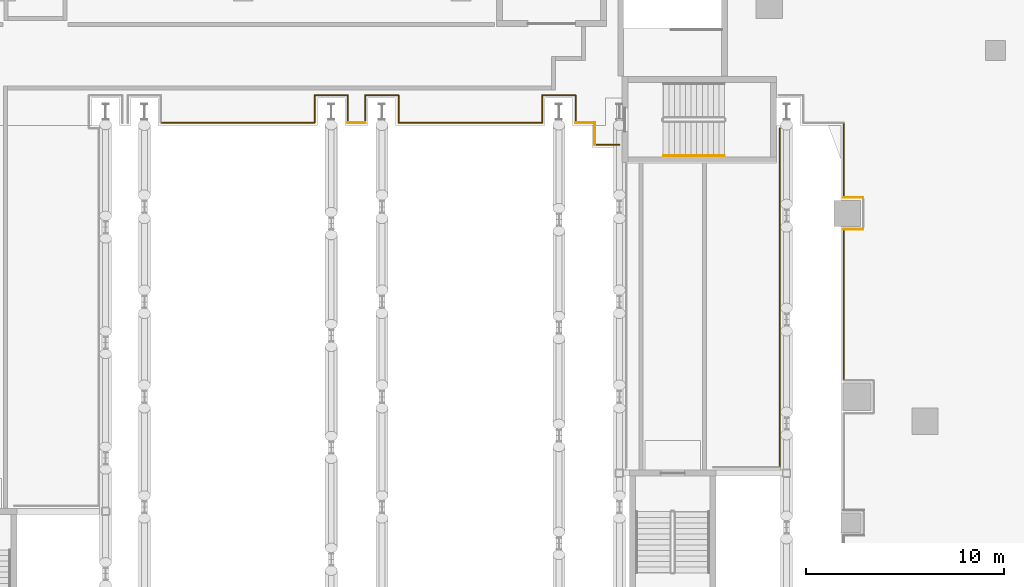
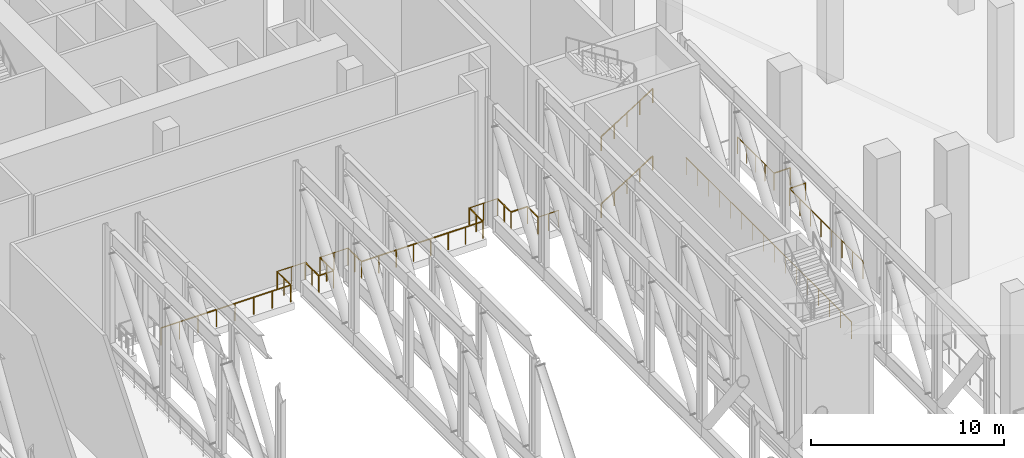
# One storey, part 28 of 33: 22 railings.
"""IFC4 building model written with IfcOpenShell, lengths in metres."""

from ifc_helpers import new_model, si_unit, direction, frame, origin, origin_2d, place, context, subcontext, project, spatial, circle, extrude, material, type_object, element, save


model = new_model("IFC4")

# Units and contexts
model_context = context("Model", 3, precision=1e-05, world=origin(), true_north=direction((0.0, 1.0)))
body_context = subcontext(model_context, "Body", "Model", "MODEL_VIEW")
ifc_project = project(units=[si_unit("LENGTHUNIT", "METRE"), si_unit("AREAUNIT", "SQUARE_METRE"), si_unit("VOLUMEUNIT", "CUBIC_METRE"), si_unit("PLANEANGLEUNIT", "RADIAN"), si_unit("MASSUNIT", "GRAM", prefix="KILO")], contexts=[model_context])

# Site, building, storey
site_placement = place(None, origin())
site = spatial("IfcSite", under=ifc_project, at=site_placement, CompositionType="ELEMENT")
building_placement = place(site_placement, origin())
building = spatial("IfcBuilding", under=site, at=building_placement, Name="Wharfspan Tower", CompositionType="ELEMENT")
storey_placement = place(building_placement, frame((0.0, 0.0, 33.0)))
storey = spatial("IfcBuildingStorey", under=building, at=storey_placement, Name="L05", CompositionType="ELEMENT", Elevation=33.0)

# Railings
ifc_material = material(Name="Steel S355J2", Category="steel")
railing_type_1 = type_object("IfcRailingType", Name="GUARD 1100 STEEL AND GLASS", PredefinedType="GUARDRAIL", material=ifc_material)
railing_1_placement = place(storey_placement, frame((83.340088, 12.340088, 0.0)))
element("IfcRailing", 1, at=railing_1_placement, inside=storey, type_object=railing_type_1, Name="Guard on the deck edge", PredefinedType="GUARDRAIL", context=body_context, shape_type="SweptSolid", body=[
    extrude(circle(Radius=0.024902, at=origin_2d()), frame((0.0, 0.0, 1.075195), z_axis=(0.0, 1.0, 0.0), x_axis=(-1.0, 0.0, 0.0)), (0.0, 0.0, 1.0), 7.628174),
    extrude(circle(Radius=0.02002, at=origin_2d()), origin(), (0.0, 0.0, 1.0), 1.050049),
    extrude(circle(Radius=0.02002, at=origin_2d()), frame((0.0, 1.089844, 0.0)), (0.0, 0.0, 1.0), 1.050049),
    extrude(circle(Radius=0.02002, at=origin_2d()), frame((0.0, 2.179443, 0.0)), (0.0, 0.0, 1.0), 1.050049),
    extrude(circle(Radius=0.02002, at=origin_2d()), frame((0.0, 3.269287, 0.0)), (0.0, 0.0, 1.0), 1.050049),
    extrude(circle(Radius=0.02002, at=origin_2d()), frame((0.0, 4.358887, 0.0)), (0.0, 0.0, 1.0), 1.050049),
    extrude(circle(Radius=0.02002, at=origin_2d()), frame((0.0, 5.44873, 0.0)), (0.0, 0.0, 1.0), 1.050049),
    extrude(circle(Radius=0.02002, at=origin_2d()), frame((0.0, 6.53833, 0.0)), (0.0, 0.0, 1.0), 1.050049),
    extrude(circle(Radius=0.02002, at=origin_2d()), frame((0.0, 7.628174, 0.0)), (0.0, 0.0, 1.0), 1.050049),
])
railing_2_placement = place(storey_placement, frame((83.340088, 19.968262, 0.0)))
element("IfcRailing", 2, at=railing_2_placement, inside=storey, type_object=railing_type_1, Name="Guard on the deck edge", PredefinedType="GUARDRAIL", context=body_context, shape_type="SweptSolid", body=[
    extrude(circle(Radius=0.024902, at=origin_2d()), frame((0.0, 0.0, 1.075195), z_axis=(1.0, 0.0, 0.0), x_axis=(0.0, 1.0, 0.0)), (0.0, 0.0, 1.0), 0.966797),
    extrude(circle(Radius=0.02002, at=origin_2d()), origin(), (0.0, 0.0, 1.0), 1.050049),
    extrude(circle(Radius=0.02002, at=origin_2d()), frame((0.966797, 0.0, 0.0)), (0.0, 0.0, 1.0), 1.050049),
])
railing_3_placement = place(storey_placement, frame((84.306885, 21.568359, 0.0)))
element("IfcRailing", 3, at=railing_3_placement, inside=storey, type_object=railing_type_1, Name="Guard on the deck edge", PredefinedType="GUARDRAIL", context=body_context, shape_type="SweptSolid", body=[
    extrude(circle(Radius=0.024902, at=origin_2d()), frame((0.0, 0.0, 1.075195), z_axis=(-1.0, 0.0, 0.0), x_axis=(0.0, -1.0, 0.0)), (0.0, 0.0, 1.0), 0.966797),
    extrude(circle(Radius=0.02002, at=origin_2d()), origin(), (0.0, 0.0, 1.0), 1.050049),
    extrude(circle(Radius=0.02002, at=origin_2d()), frame((-0.966797, 0.0, 0.0)), (0.0, 0.0, 1.0), 1.050049),
])
railing_4_placement = place(storey_placement, frame((83.340088, 21.568359, 0.0)))
element("IfcRailing", 4, at=railing_4_placement, inside=storey, type_object=railing_type_1, Name="Guard on the deck edge", PredefinedType="GUARDRAIL", context=body_context, shape_type="SweptSolid", body=[
    extrude(circle(Radius=0.024902, at=origin_2d()), frame((0.0, 0.0, 1.075195), z_axis=(0.0, 1.0, 0.0), x_axis=(-1.0, 0.0, 0.0)), (0.0, 0.0, 1.0), 3.771729),
    extrude(circle(Radius=0.02002, at=origin_2d()), origin(), (0.0, 0.0, 1.0), 1.050049),
    extrude(circle(Radius=0.02002, at=origin_2d()), frame((0.0, 0.942871, 0.0)), (0.0, 0.0, 1.0), 1.050049),
    extrude(circle(Radius=0.02002, at=origin_2d()), frame((0.0, 1.885742, 0.0)), (0.0, 0.0, 1.0), 1.050049),
    extrude(circle(Radius=0.02002, at=origin_2d()), frame((0.0, 2.828857, 0.0)), (0.0, 0.0, 1.0), 1.050049),
    extrude(circle(Radius=0.02002, at=origin_2d()), frame((0.0, 3.771729, 0.0)), (0.0, 0.0, 1.0), 1.050049),
])
railing_5_placement = place(storey_placement, frame((80.102051, 25.060059, 0.0)))
element("IfcRailing", 5, at=railing_5_placement, inside=storey, type_object=railing_type_1, Name="Guard on the deck edge", PredefinedType="GUARDRAIL", context=body_context, shape_type="SweptSolid", body=[
    extrude(circle(Radius=0.024902, at=origin_2d()), frame((0.0, 0.0, 1.075195), z_axis=(0.0, -1.0, 0.0), x_axis=(1.0, 0.0, 0.0)), (0.0, 0.0, 1.0), 17.128174),
    extrude(circle(Radius=0.02002, at=origin_2d()), origin(), (0.0, 0.0, 1.0), 1.050049),
    extrude(circle(Radius=0.02002, at=origin_2d()), frame((0.0, -1.141846, 0.0)), (0.0, 0.0, 1.0), 1.050049),
    extrude(circle(Radius=0.02002, at=origin_2d()), frame((0.0, -2.283691, 0.0)), (0.0, 0.0, 1.0), 1.050049),
    extrude(circle(Radius=0.02002, at=origin_2d()), frame((0.0, -3.425537, 0.0)), (0.0, 0.0, 1.0), 1.050049),
    extrude(circle(Radius=0.02002, at=origin_2d()), frame((0.0, -4.567627, 0.0)), (0.0, 0.0, 1.0), 1.050049),
    extrude(circle(Radius=0.02002, at=origin_2d()), frame((0.0, -5.709473, 0.0)), (0.0, 0.0, 1.0), 1.050049),
    extrude(circle(Radius=0.02002, at=origin_2d()), frame((0.0, -6.851318, 0.0)), (0.0, 0.0, 1.0), 1.050049),
    extrude(circle(Radius=0.02002, at=origin_2d()), frame((0.0, -7.993164, 0.0)), (0.0, 0.0, 1.0), 1.050049),
    extrude(circle(Radius=0.02002, at=origin_2d()), frame((0.0, -9.13501, 0.0)), (0.0, 0.0, 1.0), 1.050049),
    extrude(circle(Radius=0.02002, at=origin_2d()), frame((0.0, -10.276855, 0.0)), (0.0, 0.0, 1.0), 1.050049),
    extrude(circle(Radius=0.02002, at=origin_2d()), frame((0.0, -11.418701, 0.0)), (0.0, 0.0, 1.0), 1.050049),
    extrude(circle(Radius=0.02002, at=origin_2d()), frame((0.0, -12.560547, 0.0)), (0.0, 0.0, 1.0), 1.050049),
    extrude(circle(Radius=0.02002, at=origin_2d()), frame((0.0, -13.702637, 0.0)), (0.0, 0.0, 1.0), 1.050049),
    extrude(circle(Radius=0.02002, at=origin_2d()), frame((0.0, -14.844482, 0.0)), (0.0, 0.0, 1.0), 1.050049),
    extrude(circle(Radius=0.02002, at=origin_2d()), frame((0.0, -15.986328, 0.0)), (0.0, 0.0, 1.0), 1.050049),
    extrude(circle(Radius=0.02002, at=origin_2d()), frame((0.0, -17.128174, 0.0)), (0.0, 0.0, 1.0), 1.050049),
])
railing_6_placement = place(storey_placement, frame((72.004883, 24.23999, 0.0)))
element("IfcRailing", 6, at=railing_6_placement, inside=storey, type_object=railing_type_1, Name="Guard on the deck edge", PredefinedType="GUARDRAIL", context=body_context, shape_type="SweptSolid", body=[
    extrude(circle(Radius=0.024902, at=origin_2d()), frame((0.0, 0.0, 1.075195), z_axis=(-1.0, 0.0, 0.0), x_axis=(0.0, -1.0, 0.0)), (0.0, 0.0, 1.0), 1.23999),
    extrude(circle(Radius=0.02002, at=origin_2d()), origin(), (0.0, 0.0, 1.0), 1.050049),
    extrude(circle(Radius=0.02002, at=origin_2d()), frame((-0.620117, 0.0, 0.0)), (0.0, 0.0, 1.0), 1.050049),
    extrude(circle(Radius=0.02002, at=origin_2d()), frame((-1.23999, 0.0, 0.0)), (0.0, 0.0, 1.0), 1.050049),
])
railing_7_placement = place(storey_placement, frame((70.764893, 24.23999, 0.0)))
element("IfcRailing", 7, at=railing_7_placement, inside=storey, type_object=railing_type_1, Name="Guard on the deck edge", PredefinedType="GUARDRAIL", context=body_context, shape_type="SweptSolid", body=[
    extrude(circle(Radius=0.024902, at=origin_2d()), frame((0.0, 0.0, 1.075195), z_axis=(0.0, 1.0, 0.0), x_axis=(-1.0, 0.0, 0.0)), (0.0, 0.0, 1.0), 1.100098),
    extrude(circle(Radius=0.02002, at=origin_2d()), origin(), (0.0, 0.0, 1.0), 1.050049),
    extrude(circle(Radius=0.02002, at=origin_2d()), frame((0.0, 1.100098, 0.0)), (0.0, 0.0, 1.0), 1.050049),
])
railing_8_placement = place(storey_placement, frame((70.764893, 25.340088, 0.0)))
element("IfcRailing", 8, at=railing_8_placement, inside=storey, type_object=railing_type_1, Name="Guard on the deck edge", PredefinedType="GUARDRAIL", context=body_context, shape_type="SweptSolid", body=[
    extrude(circle(Radius=0.024902, at=origin_2d()), frame((0.0, 0.0, 1.075195), z_axis=(-1.0, 0.0, 0.0), x_axis=(0.0, -1.0, 0.0)), (0.0, 0.0, 1.0), 0.98291),
    extrude(circle(Radius=0.02002, at=origin_2d()), origin(), (0.0, 0.0, 1.0), 1.050049),
    extrude(circle(Radius=0.02002, at=origin_2d()), frame((-0.98291, 0.0, 0.0)), (0.0, 0.0, 1.0), 1.050049),
])
railing_9_placement = place(storey_placement, frame((69.781982, 25.340088, 0.0)))
element("IfcRailing", 9, at=railing_9_placement, inside=storey, type_object=railing_type_1, Name="Guard on the deck edge", PredefinedType="GUARDRAIL", context=body_context, shape_type="SweptSolid", body=[
    extrude(circle(Radius=0.024902, at=origin_2d()), frame((0.0, 0.0, 1.075195), z_axis=(0.0, 1.0, 0.0), x_axis=(-1.0, 0.0, 0.0)), (0.0, 0.0, 1.0), 1.399902),
    extrude(circle(Radius=0.02002, at=origin_2d()), origin(), (0.0, 0.0, 1.0), 1.050049),
    extrude(circle(Radius=0.02002, at=origin_2d()), frame((0.0, 0.699951, 0.0)), (0.0, 0.0, 1.0), 1.050049),
    extrude(circle(Radius=0.02002, at=origin_2d()), frame((0.0, 1.399902, 0.0)), (0.0, 0.0, 1.0), 1.050049),
])
railing_10_placement = place(storey_placement, frame((69.781982, 26.73999, 0.0)))
element("IfcRailing", 10, at=railing_10_placement, inside=storey, type_object=railing_type_1, Name="Guard on the deck edge", PredefinedType="GUARDRAIL", context=body_context, shape_type="SweptSolid", body=[
    extrude(circle(Radius=0.024902, at=origin_2d()), frame((0.0, 0.0, 1.075195), z_axis=(-1.0, 0.0, 0.0), x_axis=(0.0, -1.0, 0.0)), (0.0, 0.0, 1.0), 1.679932),
    extrude(circle(Radius=0.02002, at=origin_2d()), origin(), (0.0, 0.0, 1.0), 1.050049),
    extrude(circle(Radius=0.02002, at=origin_2d()), frame((-0.839844, 0.0, 0.0)), (0.0, 0.0, 1.0), 1.050049),
    extrude(circle(Radius=0.02002, at=origin_2d()), frame((-1.679932, 0.0, 0.0)), (0.0, 0.0, 1.0), 1.050049),
])
railing_11_placement = place(storey_placement, frame((68.102051, 26.73999, 0.0)))
element("IfcRailing", 11, at=railing_11_placement, inside=storey, type_object=railing_type_1, Name="Guard on the deck edge", PredefinedType="GUARDRAIL", context=body_context, shape_type="SweptSolid", body=[
    extrude(circle(Radius=0.024902, at=origin_2d()), frame((0.0, 0.0, 1.075195), z_axis=(0.0, -1.0, 0.0), x_axis=(1.0, 0.0, 0.0)), (0.0, 0.0, 1.0), 1.399902),
    extrude(circle(Radius=0.02002, at=origin_2d()), origin(), (0.0, 0.0, 1.0), 1.050049),
    extrude(circle(Radius=0.02002, at=origin_2d()), frame((0.0, -0.699951, 0.0)), (0.0, 0.0, 1.0), 1.050049),
    extrude(circle(Radius=0.02002, at=origin_2d()), frame((0.0, -1.399902, 0.0)), (0.0, 0.0, 1.0), 1.050049),
])
railing_12_placement = place(storey_placement, frame((68.102051, 25.340088, 0.0)))
element("IfcRailing", 12, at=railing_12_placement, inside=storey, type_object=railing_type_1, Name="Guard on the deck edge", PredefinedType="GUARDRAIL", context=body_context, shape_type="SweptSolid", body=[
    extrude(circle(Radius=0.024902, at=origin_2d()), frame((0.0, 0.0, 1.075195), z_axis=(-1.0, 0.0, 0.0), x_axis=(0.0, -1.0, 0.0)), (0.0, 0.0, 1.0), 7.261963),
    extrude(circle(Radius=0.02002, at=origin_2d()), origin(), (0.0, 0.0, 1.0), 1.050049),
    extrude(circle(Radius=0.02002, at=origin_2d()), frame((-1.037354, 0.0, 0.0)), (0.0, 0.0, 1.0), 1.050049),
    extrude(circle(Radius=0.02002, at=origin_2d()), frame((-2.074951, 0.0, 0.0)), (0.0, 0.0, 1.0), 1.050049),
    extrude(circle(Radius=0.02002, at=origin_2d()), frame((-3.112305, 0.0, 0.0)), (0.0, 0.0, 1.0), 1.050049),
    extrude(circle(Radius=0.02002, at=origin_2d()), frame((-4.149658, 0.0, 0.0)), (0.0, 0.0, 1.0), 1.050049),
    extrude(circle(Radius=0.02002, at=origin_2d()), frame((-5.187012, 0.0, 0.0)), (0.0, 0.0, 1.0), 1.050049),
    extrude(circle(Radius=0.02002, at=origin_2d()), frame((-6.224609, 0.0, 0.0)), (0.0, 0.0, 1.0), 1.050049),
    extrude(circle(Radius=0.02002, at=origin_2d()), frame((-7.261963, 0.0, 0.0)), (0.0, 0.0, 1.0), 1.050049),
])
railing_13_placement = place(storey_placement, frame((60.840088, 25.340088, 0.0)))
element("IfcRailing", 13, at=railing_13_placement, inside=storey, type_object=railing_type_1, Name="Guard on the deck edge", PredefinedType="GUARDRAIL", context=body_context, shape_type="SweptSolid", body=[
    extrude(circle(Radius=0.024902, at=origin_2d()), frame((0.0, 0.0, 1.075195), z_axis=(0.0, 1.0, 0.0), x_axis=(-1.0, 0.0, 0.0)), (0.0, 0.0, 1.0), 1.399902),
    extrude(circle(Radius=0.02002, at=origin_2d()), origin(), (0.0, 0.0, 1.0), 1.050049),
    extrude(circle(Radius=0.02002, at=origin_2d()), frame((0.0, 0.699951, 0.0)), (0.0, 0.0, 1.0), 1.050049),
    extrude(circle(Radius=0.02002, at=origin_2d()), frame((0.0, 1.399902, 0.0)), (0.0, 0.0, 1.0), 1.050049),
])
railing_14_placement = place(storey_placement, frame((60.840088, 26.73999, 0.0)))
element("IfcRailing", 14, at=railing_14_placement, inside=storey, type_object=railing_type_1, Name="Guard on the deck edge", PredefinedType="GUARDRAIL", context=body_context, shape_type="SweptSolid", body=[
    extrude(circle(Radius=0.024902, at=origin_2d()), frame((0.0, 0.0, 1.075195), z_axis=(-1.0, 0.0, 0.0), x_axis=(0.0, -1.0, 0.0)), (0.0, 0.0, 1.0), 1.680176),
    extrude(circle(Radius=0.02002, at=origin_2d()), origin(), (0.0, 0.0, 1.0), 1.050049),
    extrude(circle(Radius=0.02002, at=origin_2d()), frame((-0.840088, 0.0, 0.0)), (0.0, 0.0, 1.0), 1.050049),
    extrude(circle(Radius=0.02002, at=origin_2d()), frame((-1.680176, 0.0, 0.0)), (0.0, 0.0, 1.0), 1.050049),
])
railing_15_placement = place(storey_placement, frame((59.159912, 26.73999, 0.0)))
element("IfcRailing", 15, at=railing_15_placement, inside=storey, type_object=railing_type_1, Name="Guard on the deck edge", PredefinedType="GUARDRAIL", context=body_context, shape_type="SweptSolid", body=[
    extrude(circle(Radius=0.024902, at=origin_2d()), frame((0.0, 0.0, 1.075195), z_axis=(0.0, -1.0, 0.0), x_axis=(1.0, 0.0, 0.0)), (0.0, 0.0, 1.0), 1.399902),
    extrude(circle(Radius=0.02002, at=origin_2d()), origin(), (0.0, 0.0, 1.0), 1.050049),
    extrude(circle(Radius=0.02002, at=origin_2d()), frame((0.0, -0.699951, 0.0)), (0.0, 0.0, 1.0), 1.050049),
    extrude(circle(Radius=0.02002, at=origin_2d()), frame((0.0, -1.399902, 0.0)), (0.0, 0.0, 1.0), 1.050049),
])
railing_16_placement = place(storey_placement, frame((59.159912, 25.340088, 0.0)))
element("IfcRailing", 16, at=railing_16_placement, inside=storey, type_object=railing_type_1, Name="Guard on the deck edge", PredefinedType="GUARDRAIL", context=body_context, shape_type="SweptSolid", body=[
    extrude(circle(Radius=0.024902, at=origin_2d()), frame((0.0, 0.0, 1.075195), z_axis=(-1.0, 0.0, 0.0), x_axis=(0.0, -1.0, 0.0)), (0.0, 0.0, 1.0), 0.87793),
    extrude(circle(Radius=0.02002, at=origin_2d()), origin(), (0.0, 0.0, 1.0), 1.050049),
    extrude(circle(Radius=0.02002, at=origin_2d()), frame((-0.87793, 0.0, 0.0)), (0.0, 0.0, 1.0), 1.050049),
])
railing_17_placement = place(storey_placement, frame((58.281982, 25.340088, 0.0)))
element("IfcRailing", 17, at=railing_17_placement, inside=storey, type_object=railing_type_1, Name="Guard on the deck edge", PredefinedType="GUARDRAIL", context=body_context, shape_type="SweptSolid", body=[
    extrude(circle(Radius=0.024902, at=origin_2d()), frame((0.0, 0.0, 1.075195), z_axis=(0.0, 1.0, 0.0), x_axis=(-1.0, 0.0, 0.0)), (0.0, 0.0, 1.0), 1.399902),
    extrude(circle(Radius=0.02002, at=origin_2d()), origin(), (0.0, 0.0, 1.0), 1.050049),
    extrude(circle(Radius=0.02002, at=origin_2d()), frame((0.0, 0.699951, 0.0)), (0.0, 0.0, 1.0), 1.050049),
    extrude(circle(Radius=0.02002, at=origin_2d()), frame((0.0, 1.399902, 0.0)), (0.0, 0.0, 1.0), 1.050049),
])
railing_18_placement = place(storey_placement, frame((58.281982, 26.73999, 0.0)))
element("IfcRailing", 18, at=railing_18_placement, inside=storey, type_object=railing_type_1, Name="Guard on the deck edge", PredefinedType="GUARDRAIL", context=body_context, shape_type="SweptSolid", body=[
    extrude(circle(Radius=0.024902, at=origin_2d()), frame((0.0, 0.0, 1.075195), z_axis=(-1.0, 0.0, 0.0), x_axis=(0.0, -1.0, 0.0)), (0.0, 0.0, 1.0), 1.679932),
    extrude(circle(Radius=0.02002, at=origin_2d()), origin(), (0.0, 0.0, 1.0), 1.050049),
    extrude(circle(Radius=0.02002, at=origin_2d()), frame((-0.839844, 0.0, 0.0)), (0.0, 0.0, 1.0), 1.050049),
    extrude(circle(Radius=0.02002, at=origin_2d()), frame((-1.679932, 0.0, 0.0)), (0.0, 0.0, 1.0), 1.050049),
])
railing_19_placement = place(storey_placement, frame((56.602051, 26.73999, 0.0)))
element("IfcRailing", 19, at=railing_19_placement, inside=storey, type_object=railing_type_1, Name="Guard on the deck edge", PredefinedType="GUARDRAIL", context=body_context, shape_type="SweptSolid", body=[
    extrude(circle(Radius=0.024902, at=origin_2d()), frame((0.0, 0.0, 1.075195), z_axis=(0.0, -1.0, 0.0), x_axis=(1.0, 0.0, 0.0)), (0.0, 0.0, 1.0), 1.399902),
    extrude(circle(Radius=0.02002, at=origin_2d()), origin(), (0.0, 0.0, 1.0), 1.050049),
    extrude(circle(Radius=0.02002, at=origin_2d()), frame((0.0, -0.699951, 0.0)), (0.0, 0.0, 1.0), 1.050049),
    extrude(circle(Radius=0.02002, at=origin_2d()), frame((0.0, -1.399902, 0.0)), (0.0, 0.0, 1.0), 1.050049),
])
railing_20_placement = place(storey_placement, frame((56.602051, 25.340088, 0.0)))
element("IfcRailing", 20, at=railing_20_placement, inside=storey, type_object=railing_type_1, Name="Guard on the deck edge", PredefinedType="GUARDRAIL", context=body_context, shape_type="SweptSolid", body=[
    extrude(circle(Radius=0.024902, at=origin_2d()), frame((0.0, 0.0, 1.075195), z_axis=(-1.0, 0.0, 0.0), x_axis=(0.0, -1.0, 0.0)), (0.0, 0.0, 1.0), 7.761963),
    extrude(circle(Radius=0.02002, at=origin_2d()), origin(), (0.0, 0.0, 1.0), 1.050049),
    extrude(circle(Radius=0.02002, at=origin_2d()), frame((-1.108887, 0.0, 0.0)), (0.0, 0.0, 1.0), 1.050049),
    extrude(circle(Radius=0.02002, at=origin_2d()), frame((-2.217773, 0.0, 0.0)), (0.0, 0.0, 1.0), 1.050049),
    extrude(circle(Radius=0.02002, at=origin_2d()), frame((-3.32666, 0.0, 0.0)), (0.0, 0.0, 1.0), 1.050049),
    extrude(circle(Radius=0.02002, at=origin_2d()), frame((-4.435303, 0.0, 0.0)), (0.0, 0.0, 1.0), 1.050049),
    extrude(circle(Radius=0.02002, at=origin_2d()), frame((-5.544189, 0.0, 0.0)), (0.0, 0.0, 1.0), 1.050049),
    extrude(circle(Radius=0.02002, at=origin_2d()), frame((-6.653076, 0.0, 0.0)), (0.0, 0.0, 1.0), 1.050049),
    extrude(circle(Radius=0.02002, at=origin_2d()), frame((-7.761963, 0.0, 0.0)), (0.0, 0.0, 1.0), 1.050049),
])
railing_type_2 = type_object("IfcRailingType", Name="Stair handrail 900", PredefinedType="HANDRAIL", material=ifc_material)
for number, where, name in (
    (21, (74.225098, 23.675049, 0.177002), "L05 ST6 stair handrail 1"),
    (22, (74.225098, 23.675049, 4.427002), "L05 ST6 stair handrail 3"),
):
    element("IfcRailing", number, at=place(storey_placement, frame(where)), inside=storey, type_object=railing_type_2, Name=name, PredefinedType="HANDRAIL", context=body_context, shape_type="SweptSolid", body=[
        extrude(circle(Radius=0.023926, at=origin_2d()), frame((0.0, 0.0, 0.875977), z_axis=(0.845137, 0.0, 0.53455), x_axis=(0.0, 1.0, 0.0)), (0.0, 0.0, 1.0), 3.644287),
        extrude(circle(Radius=0.020996, at=origin_2d()), origin(), (0.0, 0.0, 1.0), 0.851807),
        extrude(circle(Radius=0.020996, at=origin_2d()), frame((0.77002, 0.0, 0.487061)), (0.0, 0.0, 1.0), 0.851807),
        extrude(circle(Radius=0.020996, at=origin_2d()), frame((1.540039, 0.0, 0.974121)), (0.0, 0.0, 1.0), 0.851807),
        extrude(circle(Radius=0.020996, at=origin_2d()), frame((2.309814, 0.0, 1.460938)), (0.0, 0.0, 1.0), 0.851807),
        extrude(circle(Radius=0.020996, at=origin_2d()), frame((3.079834, 0.0, 1.947998)), (0.0, 0.0, 1.0), 0.851807),
    ])

save(model, "model.ifc")
